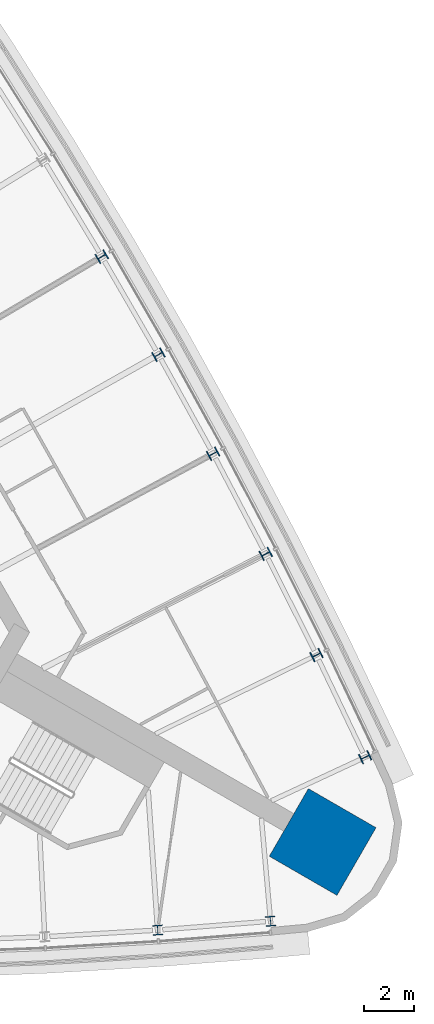
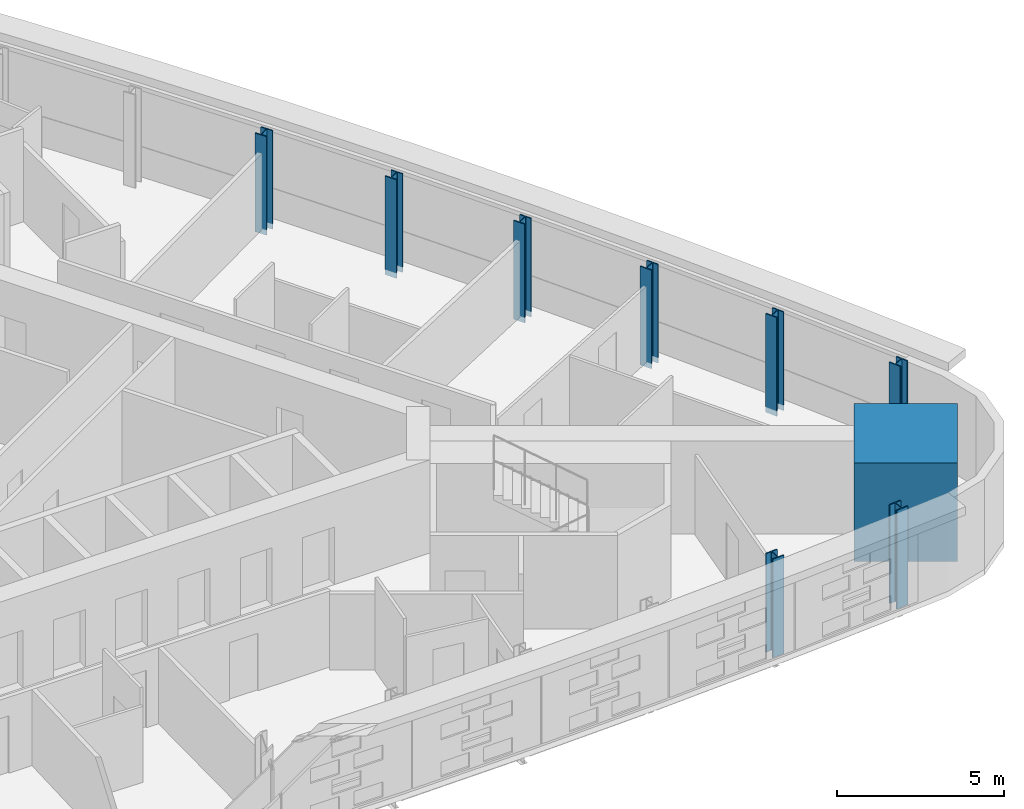
# One storey, part 2 of 17: 9 columns.
"""IFC4 building model written with IfcOpenShell, lengths in metres."""

import ifcopenshell
import ifcopenshell.guid

model = None  # the IFC model being written
_history = None  # IfcOwnerHistory: only IFC2X3 demands one
_inside = {}  # id of a spatial element -> (the spatial element, [elements in it])
_under = {}  # id of a project, library or spatial element -> (it, [spatial elements below it])
_declared = {}  # id of a project -> (the project, [libraries it declares])
_typed = {}  # id of a type object -> (the type object, [elements of that type])
_made_of = {}  # id of a material, layer set ... -> (it, [elements and type objects made of it])


def new_model(schema):
    """Start an empty IFC model of exactly this schema.

    Asked for "IFC4X3", IfcOpenShell would pick the latest addendum, in which some entities
    have other attributes; the version numbers below select the first issue.
    IFC2X3 requires an IfcOwnerHistory on every rooted entity: one is made here for all.
    """
    global model, _history
    if schema == "IFC4X3":
        model = ifcopenshell.file(schema_version=(4, 3, 0, 0))
    else:
        model = ifcopenshell.file(schema=schema)
    _inside.clear()
    _under.clear()
    _declared.clear()
    _typed.clear()
    _made_of.clear()
    _history = None
    if model.schema == "IFC2X3":
        org = make("IfcOrganization", Name="unknown")
        user = make(
            "IfcPersonAndOrganization",
            ThePerson=make("IfcPerson", FamilyName="unknown"),
            TheOrganization=org,
        )
        app = make(
            "IfcApplication",
            ApplicationDeveloper=org,
            Version="unknown",
            ApplicationFullName="unknown",
            ApplicationIdentifier="unknown",
        )
        _history = make(
            "IfcOwnerHistory",
            OwningUser=user,
            OwningApplication=app,
            ChangeAction="ADDED",
            CreationDate=0,
        )
    return model


def make(cls, **values):
    """One entity of the class cls with the attributes given. An attribute that is None is left unset."""
    return model.create_entity(
        cls, **{name: value for name, value in values.items() if value is not None}
    )


def rooted(cls, **values):
    """An entity with a GlobalId (a new one), such as an element, a storey or a relation."""
    return make(cls, GlobalId=ifcopenshell.guid.new(), OwnerHistory=_history, **values)


def si_unit(unit_type, name, prefix=None):
    """IfcSIUnit, for example si_unit("LENGTHUNIT", "METRE", prefix="MILLI")."""
    return make("IfcSIUnit", UnitType=unit_type, Prefix=prefix, Name=name)


def assignment(units):
    """IfcUnitAssignment: the units of a project."""
    return None if units is None else make("IfcUnitAssignment", Units=units)


def point(xyz):
    """IfcCartesianPoint."""
    return None if xyz is None else make("IfcCartesianPoint", Coordinates=xyz)


def direction(xyz):
    """IfcDirection."""
    return None if xyz is None else make("IfcDirection", DirectionRatios=xyz)


def frame(location, z_axis=None, x_axis=None):
    """IfcAxis2Placement3D, a coordinate frame: its origin and axes. An axis left out is left unset."""
    return make(
        "IfcAxis2Placement3D",
        Location=point(location),
        Axis=direction(z_axis),
        RefDirection=direction(x_axis),
    )


def frame_2d(location, x_axis=None):
    """IfcAxis2Placement2D, a coordinate frame in the plane: its origin and x axis."""
    return make(
        "IfcAxis2Placement2D", Location=point(location), RefDirection=direction(x_axis)
    )


def origin():
    """The frame at (0, 0, 0) with its axes left unset."""
    return frame((0.0, 0.0, 0.0))


def origin_2d():
    """The frame at (0, 0) in the plane with its x axis left unset."""
    return frame_2d((0.0, 0.0))


def place(relative_to, where):
    """IfcLocalPlacement: puts the frame where relative to a parent placement (None: the world)."""
    return make(
        "IfcLocalPlacement", PlacementRelTo=relative_to, RelativePlacement=where
    )


def context(
    kind, dimensions, precision=None, world=None, true_north=None, identifier=None
):
    """IfcGeometricRepresentationContext, for example the 3D "Model" context."""
    return make(
        "IfcGeometricRepresentationContext",
        ContextIdentifier=identifier,
        ContextType=kind,
        CoordinateSpaceDimension=dimensions,
        Precision=precision,
        WorldCoordinateSystem=world,
        TrueNorth=true_north,
    )


def subcontext(parent, identifier, kind, view, scale=None):
    """IfcGeometricRepresentationSubContext, for example "Body" below "Model"."""
    return make(
        "IfcGeometricRepresentationSubContext",
        ContextIdentifier=identifier,
        ContextType=kind,
        ParentContext=parent,
        TargetScale=scale,
        TargetView=view,
    )


def project(units=None, contexts=None):
    """IfcProject with its units and contexts."""
    return rooted(
        "IfcProject",
        Name="project",
        RepresentationContexts=contexts,
        UnitsInContext=assignment(units),
    )


def spatial(cls, under=None, at=None, **own):
    """A site, building, storey or space (cls), placed at a placement, below another one or the project."""
    s = rooted(cls, ObjectPlacement=at, **own)
    if under is not None:
        _under.setdefault(under.id(), (under, []))[1].append(s)
    return s


def profile(cls, at=None, kind="AREA", **sizes):
    """A parametric profile (cls). Its sizes go by their IFC names, for example OverallWidth=200.0."""
    return make(cls, ProfileType=kind, Position=at, **sizes)


def rectangle(**sizes):
    """IfcRectangleProfileDef."""
    return profile("IfcRectangleProfileDef", **sizes)


def i_section(**sizes):
    """IfcIShapeProfileDef."""
    return profile("IfcIShapeProfileDef", **sizes)


def extrude(swept, where, along, depth):
    """IfcExtrudedAreaSolid: the profile swept, set in the frame where, extruded along a direction by depth."""
    return make(
        "IfcExtrudedAreaSolid",
        SweptArea=swept,
        Position=where,
        ExtrudedDirection=direction(along),
        Depth=depth,
    )


def shape(context_of_items, identifier, shape_type, items):
    """IfcShapeRepresentation: the items that make up one representation, for example the "Body"."""
    return make(
        "IfcShapeRepresentation",
        ContextOfItems=context_of_items,
        RepresentationIdentifier=identifier,
        RepresentationType=shape_type,
        Items=items,
    )


def material(Name=None, Category=None):
    """IfcMaterial."""
    return make("IfcMaterial", Name=Name, Category=Category)


def material_profile(
    of_material, cross_section, Name=None, Category=None, Priority=None
):
    """IfcMaterialProfile: a cross section and its material."""
    return make(
        "IfcMaterialProfile",
        Name=Name,
        Material=of_material,
        Profile=cross_section,
        Priority=Priority,
        Category=Category,
    )


def profile_set(profiles, Name=None, composite=None):
    """IfcMaterialProfileSet."""
    return make(
        "IfcMaterialProfileSet",
        Name=Name,
        MaterialProfiles=profiles,
        CompositeProfile=composite,
    )


def made_of(thing, what):
    """Note that an element or type object is made of a material, layer set ...; save() writes the relation."""
    if what is not None:
        _made_of.setdefault(what.id(), (what, []))[1].append(thing)
    return thing


def type_object(cls, material=None, **own):
    """A type object (cls), such as IfcWallType, which elements share."""
    return made_of(rooted(cls, **own), material)


def element(
    cls,
    number,
    at=None,
    inside=None,
    cuts=None,
    type_object=None,
    material=None,
    context=None,
    identifier="Body",
    shape_type=None,
    held_by="IfcProductDefinitionShape",
    body=None,
    shapes=None,
    **own,
):
    """One element of the class cls, such as IfcWall. Its Tag is "e" and its number.

    at: its placement. inside: the storey or other place that contains it. cuts: it is an
    opening in that element (IfcRelVoidsElement). A single representation is given by context,
    identifier, shape_type and body (its items); several are given by shapes. held_by: the class
    of the entity that holds the representations. save() writes the other relations.
    """
    e = rooted(cls, Tag="e%d" % number, ObjectPlacement=at, **own)
    if body is not None:
        shapes = [shape(context, identifier, shape_type, body)]
    if shapes is not None:
        e.Representation = make(held_by, Representations=shapes)
    if inside is not None:
        _inside.setdefault(inside.id(), (inside, []))[1].append(e)
    if cuts is not None:
        rooted(
            "IfcRelVoidsElement", RelatingBuildingElement=cuts, RelatedOpeningElement=e
        )
    if type_object is not None:
        _typed.setdefault(type_object.id(), (type_object, []))[1].append(e)
    return made_of(e, material)


def aggregate(whole, parts):
    """IfcRelAggregates: a whole, such as a stair, and the parts it consists of."""
    return rooted("IfcRelAggregates", RelatingObject=whole, RelatedObjects=parts)


def save(model, path):
    """Write the relations noted so far, then the file.

    IfcRelAggregates (storeys below a building ...), IfcRelContainedInSpatialStructure (elements
    in a storey), IfcRelDefinesByType, IfcRelAssociatesMaterial and IfcRelDeclares: one each for
    every whole, place, type object, material and project.
    """
    for whole, parts in _under.values():
        aggregate(whole, parts)
    for where, things in _inside.values():
        rooted(
            "IfcRelContainedInSpatialStructure",
            RelatedElements=things,
            RelatingStructure=where,
        )
    for kind, things in _typed.values():
        rooted("IfcRelDefinesByType", RelatedObjects=things, RelatingType=kind)
    for what, things in _made_of.values():
        rooted("IfcRelAssociatesMaterial", RelatedObjects=things, RelatingMaterial=what)
    for by, libraries in _declared.values():
        rooted("IfcRelDeclares", RelatingContext=by, RelatedDefinitions=libraries)
    model.write(path)


model = new_model("IFC4")

# Units and contexts
model_context = context("Model", 3, precision=1e-05, world=origin(), true_north=direction((0.0, 1.0)))
body_context = subcontext(model_context, "Body", "Model", "MODEL_VIEW")
ifc_project = project(units=[si_unit("LENGTHUNIT", "METRE"), si_unit("AREAUNIT", "SQUARE_METRE"), si_unit("VOLUMEUNIT", "CUBIC_METRE"), si_unit("PLANEANGLEUNIT", "RADIAN"), si_unit("MASSUNIT", "GRAM", prefix="KILO")], contexts=[model_context])

# Site, building, storey
site_placement = place(None, origin())
site = spatial("IfcSite", under=ifc_project, at=site_placement, CompositionType="ELEMENT")
building_placement = place(site_placement, origin())
building = spatial("IfcBuilding", under=site, at=building_placement, Name="Noor Cloister Tower", CompositionType="ELEMENT")
storey_placement = place(building_placement, frame((0.0, 0.0, 95.10009765625)))
storey = spatial("IfcBuildingStorey", under=building, at=storey_placement, Name="L24", CompositionType="ELEMENT", Elevation=95.10009765625)

# Columns
ifc_material_1 = material(Name="Steel ASTM A992 Gr 50", Category="steel")
ifc_material_profile_1 = material_profile(ifc_material_1, i_section(OverallWidth=0.40087890625, OverallDepth=0.39892578125, WebThickness=0.02490234375, FlangeThickness=0.03955078125, FilletRadius=0.015380859375, at=origin_2d()), Name="W360x314")
ifc_profile_set_1 = profile_set([ifc_material_profile_1], Name="Steel ASTM A992 Gr 50")
column_type_1 = type_object("IfcColumnType", Name="Column W360x314", PredefinedType="COLUMN", material=ifc_profile_set_1)
for number, where, z_axis, x_axis, name in (
    (1, (15.69970703125, -16.33642578125, -0.2001953125), (0.0, 0.0, 1.0), (0.997627922075, 0.06883697478, 0.0), "Column S 09 L24"),
    (2, (20.1748046875, -15.9833984375, -0.2001953125), (0.0, 0.0, 1.0), (0.99607982273, 0.088458955177, 0.0), "Column S 10 L24"),
    (3, (23.929443359375, -9.480224609375, -0.2001953125), (0.0, 0.0, 1.0), (-0.421432208989, 0.906859908269, 0.0), "Column NE 01 L24"),
    (4, (21.99755859375, -5.427978515625, -0.2001953125), (0.0, 0.0, 1.0), (-0.439199392158, 0.898389611432, 0.0), "Column NE 02 L24"),
    (5, (19.986328125, -1.414794921875, -0.2001953125), (0.0, 0.0, 1.0), (-0.456796421257, 0.889571261635, 0.0), "Column NE 03 L24"),
    (6, (17.896728515625, 2.558349609375, -0.2001953125), (0.0, 0.0, 1.0), (-0.474216478854, 0.880408275281, 0.0), "Column NE 04 L24"),
    (7, (15.72900390625, 6.489501953125, -0.2001953125), (0.0, 0.0, 1.0), (-0.491452816121, 0.870904202267, 0.0), "Column NE 05 L24"),
    (8, (13.484375, 10.376953125, -0.2001953125), (0.0, 0.0, 1.0), (-0.508498755365, 0.861062724656, 0.0), "Column NE 06 L24"),
):
    element("IfcColumn", number, at=place(storey_placement, frame(where, z_axis=z_axis, x_axis=x_axis)), inside=storey, type_object=column_type_1, Name=name, PredefinedType="COLUMN", context=body_context, shape_type="SweptSolid", body=[
        extrude(i_section(OverallWidth=0.40087890625, OverallDepth=0.39892578125, WebThickness=0.02490234375, FlangeThickness=0.03955078125, FilletRadius=0.015380859375, at=origin_2d()), origin(), (0.0, 0.0, 1.0), 3.60009765625),
    ])
ifc_material_2 = material(Name="Concrete C80/95", Category="concrete")
ifc_material_profile_2 = material_profile(ifc_material_2, rectangle(XDim=3.10009765625, YDim=3.10009765625, at=origin_2d()), Name="RC 3100x3100")
ifc_profile_set_2 = profile_set([ifc_material_profile_2], Name="Concrete C80/95")
column_type_2 = type_object("IfcColumnType", Name="Corner pier 3100 x 3100 C80/95", PredefinedType="COLUMN", material=ifc_profile_set_2)
column_placement = place(storey_placement, frame((22.242919921875, -12.842041015625, -0.2001953125), z_axis=(0.0, 0.0, 1.0), x_axis=(0.866025403784, -0.5, 0.0)))
element("IfcColumn", 9, at=column_placement, inside=storey, type_object=column_type_2, Name="Corner pier SE L24", PredefinedType="COLUMN", context=body_context, shape_type="SweptSolid", body=[
    extrude(rectangle(XDim=3.10009765625, YDim=3.10009765625, at=origin_2d()), origin(), (0.0, 0.0, 1.0), 3.60009765625),
])

save(model, "model.ifc")
